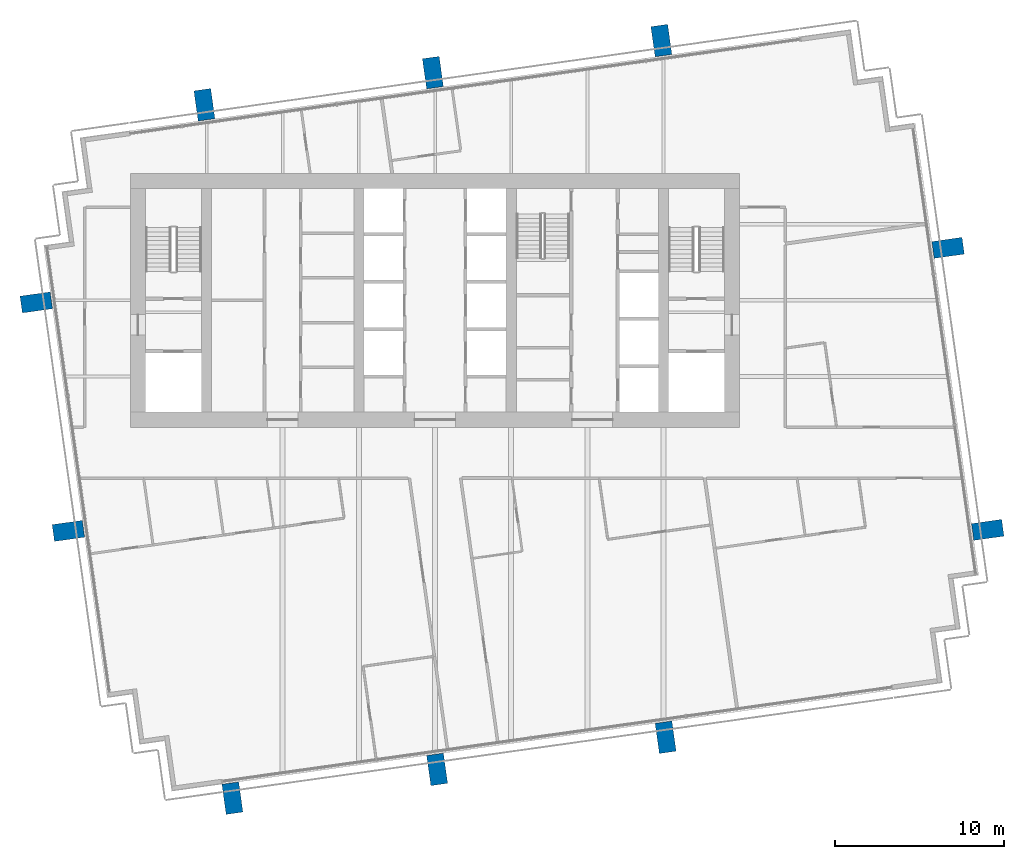
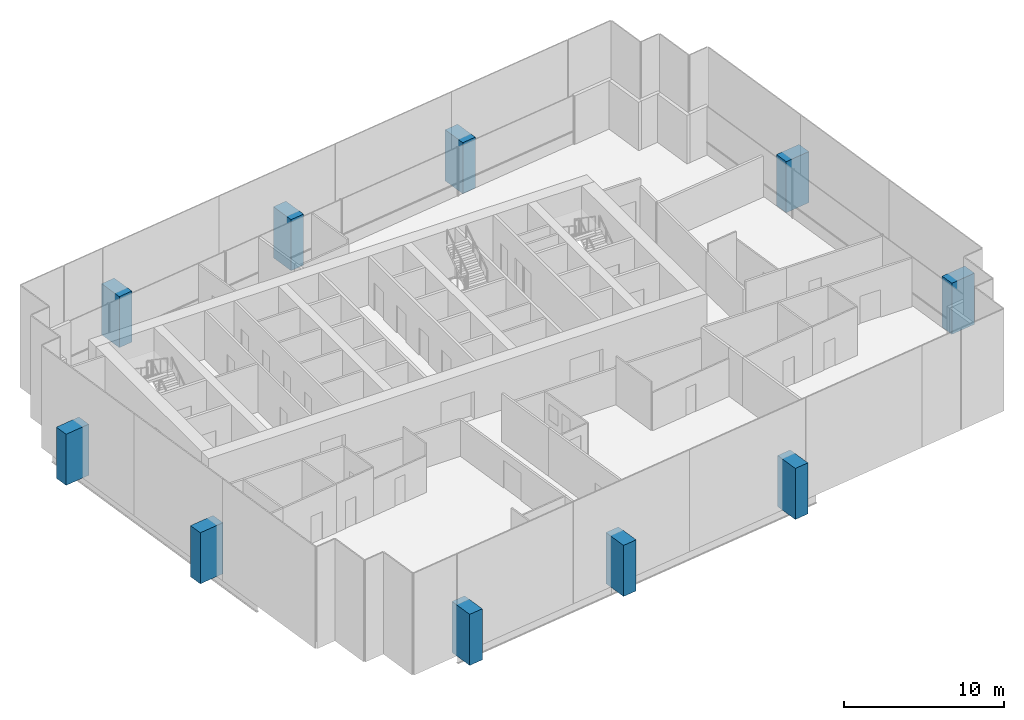
# One storey, part 1 of 17: 10 columns.
"""IFC4 building model written with IfcOpenShell, lengths in metres."""

from ifc_helpers import new_model, si_unit, direction, frame, origin, origin_2d, place, context, subcontext, project, spatial, rectangle, extrude, material, material_profile, profile_set, type_object, element, save


model = new_model("IFC4")

# Units and contexts
model_context = context("Model", 3, precision=1e-05, world=origin(), true_north=direction((0.0, 1.0)))
body_context = subcontext(model_context, "Body", "Model", "MODEL_VIEW")
ifc_project = project(units=[si_unit("LENGTHUNIT", "METRE"), si_unit("AREAUNIT", "SQUARE_METRE"), si_unit("VOLUMEUNIT", "CUBIC_METRE"), si_unit("PLANEANGLEUNIT", "RADIAN"), si_unit("MASSUNIT", "GRAM", prefix="KILO")], contexts=[model_context])

# Site, building, storey
site_placement = place(None, origin())
site = spatial("IfcSite", under=ifc_project, at=site_placement, CompositionType="ELEMENT")
building_placement = place(site_placement, origin())
building = spatial("IfcBuilding", under=site, at=building_placement, Name="Rattan Terrace Tower", CompositionType="ELEMENT")
storey_placement = place(building_placement, frame((0.0, 0.0, 225.199951171875)))
storey = spatial("IfcBuildingStorey", under=building, at=storey_placement, Name="L51", CompositionType="ELEMENT", Elevation=225.199951171875)

# Columns
ifc_material = material(Name="Concrete C40/50", Category="concrete")
ifc_material_profile = material_profile(ifc_material, rectangle(XDim=1.0, YDim=1.800048828125, at=origin_2d()), Name="CFT 1800x1000")
ifc_profile_set = profile_set([ifc_material_profile], Name="Concrete C40/50")
column_type = type_object("IfcColumnType", Name="Frame exoskeleton column CFT 1800x1000", PredefinedType="COLUMN", material=ifc_profile_set)
for number, where, z_axis, x_axis, name in (
    (1, (-11.970947265625, -29.416015625, -0.199951171875), (0.0, 0.0, 1.0), (0.990268068742, 0.13917310096, 0.0), "exo-L51-001"),
    (2, (0.125, -27.716064453125, -0.199951171875), (0.0, 0.0, 1.0), (0.990268068742, 0.13917310096, 0.0), "exo-L51-002"),
    (3, (13.625, -25.818115234375, -0.199951171875), (0.0, 0.0, 1.0), (0.990268068742, 0.13917310096, 0.0), "exo-L51-003"),
    (4, (-21.6630859375, -13.625, -0.199951171875), (0.0, 0.0, 1.0), (-0.139190384377, 0.990265639562, 0.0), "exo-L51-004"),
    (5, (32.657958984375, -13.56494140625, -0.199951171875), (0.0, 0.0, 1.0), (-0.139190384377, 0.990265639562, 0.0), "exo-L51-005"),
    (6, (-23.56103515625, -0.125, -0.199951171875), (0.0, 0.0, 1.0), (-0.139190384377, 0.990265639562, 0.0), "exo-L51-006"),
    (7, (30.31494140625, 3.10009765625, -0.199951171875), (0.0, 0.0, 1.0), (-0.139190384377, 0.990265639562, 0.0), "exo-L51-007"),
    (8, (-13.625, 11.552978515625, -0.199951171875), (0.0, 0.0, 1.0), (0.990268068742, 0.13917310096, 0.0), "exo-L51-008"),
    (9, (-0.125, 13.450927734375, -0.199951171875), (0.0, 0.0, 1.0), (0.990268068742, 0.13917310096, 0.0), "exo-L51-009"),
    (10, (13.375, 15.347900390625, -0.199951171875), (0.0, 0.0, 1.0), (0.990268068742, 0.13917310096, 0.0), "exo-L51-010"),
):
    element("IfcColumn", number, at=place(storey_placement, frame(where, z_axis=z_axis, x_axis=x_axis)), inside=storey, type_object=column_type, Name=name, PredefinedType="COLUMN", context=body_context, shape_type="SweptSolid", body=[
        extrude(rectangle(XDim=1.0, YDim=1.800048828125, at=origin_2d()), origin(), (0.0, 0.0, 1.0), 3.89990234375),
    ])

save(model, "model.ifc")
